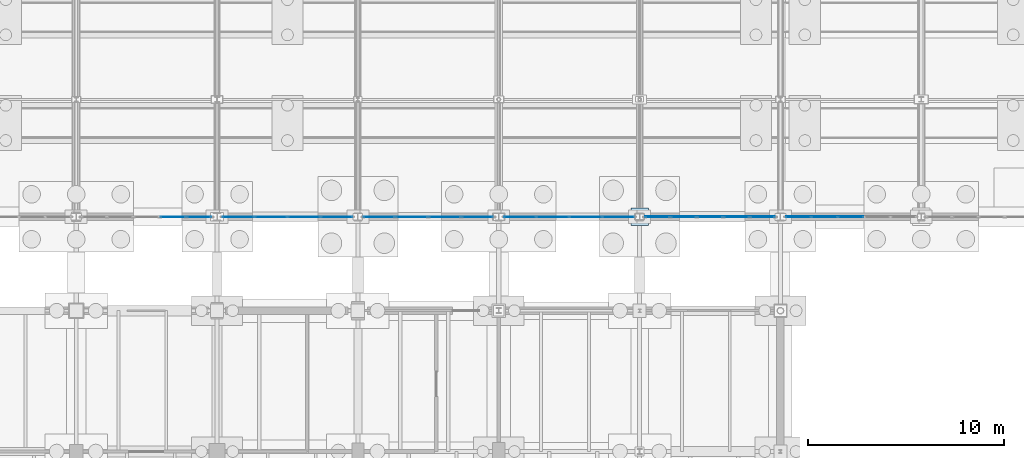
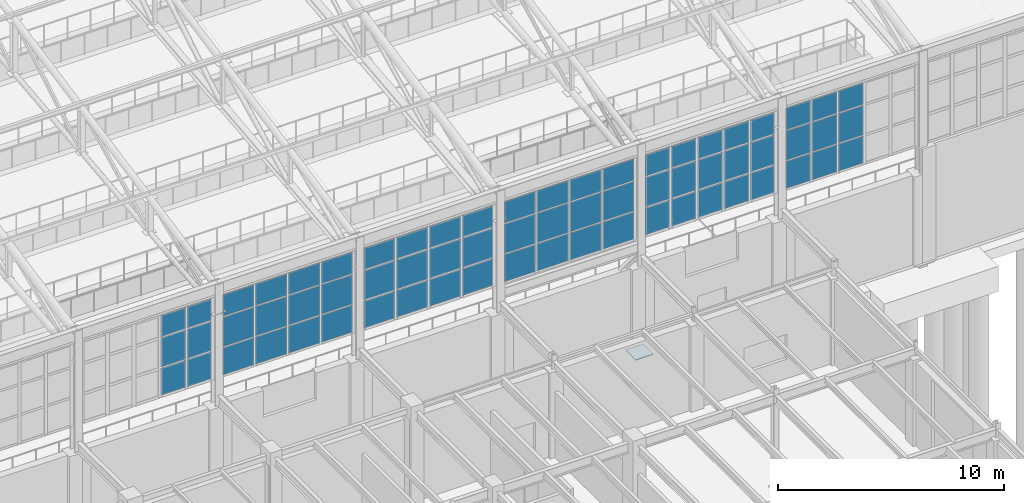
# One storey, part 245 of 293: 67 plates, 6 elements without a shape of their own.
"""IFC4 building model written with IfcOpenShell, lengths in metres."""

from ifc_helpers import new_model, si_unit, direction, frame, origin, origin_2d, place, context, subcontext, project, spatial, rectangle, extrude, material, layer, layer_set, type_object, element, aggregate, save


model = new_model("IFC4")

# Units and contexts
model_context = context("Model", 3, precision=1e-05, world=origin(), true_north=direction((0.0, 1.0)))
body_context = subcontext(model_context, "Body", "Model", "MODEL_VIEW")
ifc_project = project(units=[si_unit("LENGTHUNIT", "METRE"), si_unit("AREAUNIT", "SQUARE_METRE"), si_unit("VOLUMEUNIT", "CUBIC_METRE"), si_unit("PLANEANGLEUNIT", "RADIAN"), si_unit("MASSUNIT", "GRAM", prefix="KILO")], contexts=[model_context])

# Site, building, storey
site_placement = place(None, origin())
site = spatial("IfcSite", under=ifc_project, at=site_placement, CompositionType="ELEMENT")
building_placement = place(site_placement, origin())
building = spatial("IfcBuilding", under=site, at=building_placement, Name="Kemerveld Promenade Tramway Depot", CompositionType="ELEMENT")
storey_placement = place(building_placement, origin())
storey = spatial("IfcBuildingStorey", under=building, at=storey_placement, Name="L00", CompositionType="ELEMENT", Elevation=0.0)

# Curtain wall, plates
ifc_material_1 = material(Name="Bronze anodised aluminium and solar glass", Category="aluminium")
ifc_layer_1 = layer(ifc_material_1, 0.159912109375)
ifc_layer_set_1 = layer_set([ifc_layer_1], Name="CW-SYS-03")
curtain_wall_type_1 = type_object("IfcCurtainWallType", Name="CW-SYS-03", PredefinedType="USERDEFINED", material=ifc_layer_set_1)
curtain_wall_1_placement = place(storey_placement, origin())
curtain_wall_1 = element("IfcCurtainWall", 1, at=curtain_wall_1_placement, inside=storey, type_object=curtain_wall_type_1, Name="CW-V1-S-14", ObjectType="GLAZED_CURTAIN_WALL", PredefinedType="USERDEFINED")
ifc_material_2 = material(Name="Solar-control laminated double glazing", Category="glass")
ifc_layer_2 = layer(ifc_material_2, 0.028076171875)
ifc_layer_set_2 = layer_set([ifc_layer_2], Name="CW-PNL-01")
plate_type_1 = type_object("IfcPlateType", Name="CW-PNL-01", PredefinedType="CURTAIN_PANEL", material=ifc_layer_set_2)
plate_1_placement = place(storey_placement, frame((135.71630859375, 84.0, 6.259765625), z_axis=(0.0, 0.0, 1.0), x_axis=(-1.0, 0.0, 0.0)))
plate_1 = element("IfcPlate", 2, at=plate_1_placement, type_object=plate_type_1, Name="CW03 panel 1.1", PredefinedType="CURTAIN_PANEL", context=body_context, shape_type="SweptSolid", body=[
    extrude(rectangle(XDim=1.5908203125, YDim=0.028076171875, at=origin_2d()), origin(), (0.0, 0.0, 1.0), 1.468017578125),
])
plate_2_placement = place(storey_placement, frame((135.71630859375, 84.0, 7.7880859375), z_axis=(0.0, 0.0, 1.0), x_axis=(-1.0, 0.0, 0.0)))
plate_2 = element("IfcPlate", 3, at=plate_2_placement, type_object=plate_type_1, Name="CW03 panel 1.2", PredefinedType="CURTAIN_PANEL", context=body_context, shape_type="SweptSolid", body=[
    extrude(rectangle(XDim=1.5908203125, YDim=0.028076171875, at=origin_2d()), origin(), (0.0, 0.0, 1.0), 1.5859375),
])
plate_3_placement = place(storey_placement, frame((135.71630859375, 84.0, 9.43408203125), z_axis=(0.0, 0.0, 1.0), x_axis=(-1.0, 0.0, 0.0)))
plate_3 = element("IfcPlate", 4, at=plate_3_placement, type_object=plate_type_1, Name="CW03 panel 1.3", PredefinedType="CURTAIN_PANEL", context=body_context, shape_type="SweptSolid", body=[
    extrude(rectangle(XDim=1.5908203125, YDim=0.028076171875, at=origin_2d()), origin(), (0.0, 0.0, 1.0), 1.156005859375),
])
plate_4_placement = place(storey_placement, frame((134.044189453125, 84.0, 6.259765625), z_axis=(0.0, 0.0, 1.0), x_axis=(-1.0, 0.0, 0.0)))
plate_4 = element("IfcPlate", 5, at=plate_4_placement, type_object=plate_type_1, Name="CW03 panel 2.1", PredefinedType="CURTAIN_PANEL", context=body_context, shape_type="SweptSolid", body=[
    extrude(rectangle(XDim=1.623291015625, YDim=0.028076171875, at=origin_2d()), origin(), (0.0, 0.0, 1.0), 1.468017578125),
])
plate_5_placement = place(storey_placement, frame((134.044189453125, 84.0, 7.7880859375), z_axis=(0.0, 0.0, 1.0), x_axis=(-1.0, 0.0, 0.0)))
plate_5 = element("IfcPlate", 6, at=plate_5_placement, type_object=plate_type_1, Name="CW03 panel 2.2", PredefinedType="CURTAIN_PANEL", context=body_context, shape_type="SweptSolid", body=[
    extrude(rectangle(XDim=1.623291015625, YDim=0.028076171875, at=origin_2d()), origin(), (0.0, 0.0, 1.0), 1.5859375),
])
plate_6_placement = place(storey_placement, frame((134.044189453125, 84.0, 9.43408203125), z_axis=(0.0, 0.0, 1.0), x_axis=(-1.0, 0.0, 0.0)))
plate_6 = element("IfcPlate", 7, at=plate_6_placement, type_object=plate_type_1, Name="CW03 panel 2.3", PredefinedType="CURTAIN_PANEL", context=body_context, shape_type="SweptSolid", body=[
    extrude(rectangle(XDim=1.623291015625, YDim=0.028076171875, at=origin_2d()), origin(), (0.0, 0.0, 1.0), 1.156005859375),
])
plate_7_placement = place(storey_placement, frame((132.355712890625, 84.0, 6.259765625), z_axis=(0.0, 0.0, 1.0), x_axis=(-1.0, 0.0, 0.0)))
plate_7 = element("IfcPlate", 8, at=plate_7_placement, type_object=plate_type_1, Name="CW03 panel 3.1", PredefinedType="CURTAIN_PANEL", context=body_context, shape_type="SweptSolid", body=[
    extrude(rectangle(XDim=1.623291015625, YDim=0.028076171875, at=origin_2d()), origin(), (0.0, 0.0, 1.0), 1.468017578125),
])
plate_8_placement = place(storey_placement, frame((132.355712890625, 84.0, 7.7880859375), z_axis=(0.0, 0.0, 1.0), x_axis=(-1.0, 0.0, 0.0)))
plate_8 = element("IfcPlate", 9, at=plate_8_placement, type_object=plate_type_1, Name="CW03 panel 3.2", PredefinedType="CURTAIN_PANEL", context=body_context, shape_type="SweptSolid", body=[
    extrude(rectangle(XDim=1.623291015625, YDim=0.028076171875, at=origin_2d()), origin(), (0.0, 0.0, 1.0), 1.5859375),
])
plate_9_placement = place(storey_placement, frame((132.355712890625, 84.0, 9.43408203125), z_axis=(0.0, 0.0, 1.0), x_axis=(-1.0, 0.0, 0.0)))
plate_9 = element("IfcPlate", 10, at=plate_9_placement, type_object=plate_type_1, Name="CW03 panel 3.3", PredefinedType="CURTAIN_PANEL", context=body_context, shape_type="SweptSolid", body=[
    extrude(rectangle(XDim=1.623291015625, YDim=0.028076171875, at=origin_2d()), origin(), (0.0, 0.0, 1.0), 1.156005859375),
])
plate_10_placement = place(storey_placement, frame((130.68359375, 84.0, 6.259765625), z_axis=(0.0, 0.0, 1.0), x_axis=(-1.0, 0.0, 0.0)))
plate_10 = element("IfcPlate", 11, at=plate_10_placement, type_object=plate_type_1, Name="CW03 panel 4.1", PredefinedType="CURTAIN_PANEL", context=body_context, shape_type="SweptSolid", body=[
    extrude(rectangle(XDim=1.5908203125, YDim=0.028076171875, at=origin_2d()), origin(), (0.0, 0.0, 1.0), 1.468017578125),
])
plate_11_placement = place(storey_placement, frame((130.68359375, 84.0, 7.7880859375), z_axis=(0.0, 0.0, 1.0), x_axis=(-1.0, 0.0, 0.0)))
plate_11 = element("IfcPlate", 12, at=plate_11_placement, type_object=plate_type_1, Name="CW03 panel 4.2", PredefinedType="CURTAIN_PANEL", context=body_context, shape_type="SweptSolid", body=[
    extrude(rectangle(XDim=1.5908203125, YDim=0.028076171875, at=origin_2d()), origin(), (0.0, 0.0, 1.0), 1.5859375),
])
plate_12_placement = place(storey_placement, frame((130.68359375, 84.0, 9.43408203125), z_axis=(0.0, 0.0, 1.0), x_axis=(-1.0, 0.0, 0.0)))
plate_12 = element("IfcPlate", 13, at=plate_12_placement, type_object=plate_type_1, Name="CW03 panel 4.3", PredefinedType="CURTAIN_PANEL", context=body_context, shape_type="SweptSolid", body=[
    extrude(rectangle(XDim=1.5908203125, YDim=0.028076171875, at=origin_2d()), origin(), (0.0, 0.0, 1.0), 1.156005859375),
])
aggregate(curtain_wall_1, [plate_1, plate_2, plate_3, plate_4, plate_5, plate_6, plate_7, plate_8, plate_9, plate_10, plate_11, plate_12])

ifc_layer_3 = layer(ifc_material_1, 0.199951171875)
ifc_layer_set_3 = layer_set([ifc_layer_3], Name="CW-SYS-04")
curtain_wall_type_2 = type_object("IfcCurtainWallType", Name="CW-SYS-04", PredefinedType="USERDEFINED", material=ifc_layer_set_3)
curtain_wall_2_placement = place(storey_placement, origin())
curtain_wall_2 = element("IfcCurtainWall", 14, at=curtain_wall_2_placement, inside=storey, type_object=curtain_wall_type_2, Name="CW-V1-S-15", ObjectType="GLAZED_CURTAIN_WALL", PredefinedType="USERDEFINED")
ifc_layer_4 = layer(ifc_material_2, 0.028076171875)
ifc_layer_set_4 = layer_set([ifc_layer_4], Name="CW-PNL-02")
plate_type_2 = type_object("IfcPlateType", Name="CW-PNL-02", PredefinedType="CURTAIN_PANEL", material=ifc_layer_set_4)
plate_13_placement = place(storey_placement, frame((142.913818359375, 84.0, 6.26513671875), z_axis=(0.0, 0.0, 1.0), x_axis=(-1.0, 0.0, 0.0)))
plate_13 = element("IfcPlate", 15, at=plate_13_placement, type_object=plate_type_2, Name="CW04 panel 1.1", PredefinedType="CURTAIN_PANEL", context=body_context, shape_type="SweptSolid", body=[
    extrude(rectangle(XDim=1.575927734375, YDim=0.028076171875, at=origin_2d()), origin(), (0.0, 0.0, 1.0), 1.46044921875),
])
plate_14_placement = place(storey_placement, frame((142.913818359375, 84.0, 7.79052734375), z_axis=(0.0, 0.0, 1.0), x_axis=(-1.0, 0.0, 0.0)))
plate_14 = element("IfcPlate", 16, at=plate_14_placement, type_object=plate_type_2, Name="CW04 panel 1.2", PredefinedType="CURTAIN_PANEL", context=body_context, shape_type="SweptSolid", body=[
    extrude(rectangle(XDim=1.575927734375, YDim=0.028076171875, at=origin_2d()), origin(), (0.0, 0.0, 1.0), 1.5810546875),
])
plate_15_placement = place(storey_placement, frame((142.913818359375, 84.0, 9.4365234375), z_axis=(0.0, 0.0, 1.0), x_axis=(-1.0, 0.0, 0.0)))
plate_15 = element("IfcPlate", 17, at=plate_15_placement, type_object=plate_type_2, Name="CW04 panel 1.3", PredefinedType="CURTAIN_PANEL", context=body_context, shape_type="SweptSolid", body=[
    extrude(rectangle(XDim=1.575927734375, YDim=0.028076171875, at=origin_2d()), origin(), (0.0, 0.0, 1.0), 1.1484375),
])
plate_16_placement = place(storey_placement, frame((141.244140625, 84.0, 6.26513671875), z_axis=(0.0, 0.0, 1.0), x_axis=(-1.0, 0.0, 0.0)))
plate_16 = element("IfcPlate", 18, at=plate_16_placement, type_object=plate_type_2, Name="CW04 panel 2.1", PredefinedType="CURTAIN_PANEL", context=body_context, shape_type="SweptSolid", body=[
    extrude(rectangle(XDim=1.61328125, YDim=0.028076171875, at=origin_2d()), origin(), (0.0, 0.0, 1.0), 1.46044921875),
])
plate_17_placement = place(storey_placement, frame((141.244140625, 84.0, 7.79052734375), z_axis=(0.0, 0.0, 1.0), x_axis=(-1.0, 0.0, 0.0)))
plate_17 = element("IfcPlate", 19, at=plate_17_placement, type_object=plate_type_2, Name="CW04 panel 2.2", PredefinedType="CURTAIN_PANEL", context=body_context, shape_type="SweptSolid", body=[
    extrude(rectangle(XDim=1.61328125, YDim=0.028076171875, at=origin_2d()), origin(), (0.0, 0.0, 1.0), 1.5810546875),
])
plate_18_placement = place(storey_placement, frame((141.244140625, 84.0, 9.4365234375), z_axis=(0.0, 0.0, 1.0), x_axis=(-1.0, 0.0, 0.0)))
plate_18 = element("IfcPlate", 20, at=plate_18_placement, type_object=plate_type_2, Name="CW04 panel 2.3", PredefinedType="CURTAIN_PANEL", context=body_context, shape_type="SweptSolid", body=[
    extrude(rectangle(XDim=1.61328125, YDim=0.028076171875, at=origin_2d()), origin(), (0.0, 0.0, 1.0), 1.1484375),
])
plate_19_placement = place(storey_placement, frame((139.555908203125, 84.0, 6.26513671875), z_axis=(0.0, 0.0, 1.0), x_axis=(-1.0, 0.0, 0.0)))
plate_19 = element("IfcPlate", 21, at=plate_19_placement, type_object=plate_type_2, Name="CW04 panel 3.1", PredefinedType="CURTAIN_PANEL", context=body_context, shape_type="SweptSolid", body=[
    extrude(rectangle(XDim=1.61328125, YDim=0.028076171875, at=origin_2d()), origin(), (0.0, 0.0, 1.0), 1.46044921875),
])
plate_20_placement = place(storey_placement, frame((139.555908203125, 84.0, 7.79052734375), z_axis=(0.0, 0.0, 1.0), x_axis=(-1.0, 0.0, 0.0)))
plate_20 = element("IfcPlate", 22, at=plate_20_placement, type_object=plate_type_2, Name="CW04 panel 3.2", PredefinedType="CURTAIN_PANEL", context=body_context, shape_type="SweptSolid", body=[
    extrude(rectangle(XDim=1.61328125, YDim=0.028076171875, at=origin_2d()), origin(), (0.0, 0.0, 1.0), 1.5810546875),
])
plate_21_placement = place(storey_placement, frame((139.555908203125, 84.0, 9.4365234375), z_axis=(0.0, 0.0, 1.0), x_axis=(-1.0, 0.0, 0.0)))
plate_21 = element("IfcPlate", 23, at=plate_21_placement, type_object=plate_type_2, Name="CW04 panel 3.3", PredefinedType="CURTAIN_PANEL", context=body_context, shape_type="SweptSolid", body=[
    extrude(rectangle(XDim=1.61328125, YDim=0.028076171875, at=origin_2d()), origin(), (0.0, 0.0, 1.0), 1.1484375),
])
plate_22_placement = place(storey_placement, frame((137.88623046875, 84.0, 6.26513671875), z_axis=(0.0, 0.0, 1.0), x_axis=(-1.0, 0.0, 0.0)))
plate_22 = element("IfcPlate", 24, at=plate_22_placement, type_object=plate_type_2, Name="CW04 panel 4.1", PredefinedType="CURTAIN_PANEL", context=body_context, shape_type="SweptSolid", body=[
    extrude(rectangle(XDim=1.575927734375, YDim=0.028076171875, at=origin_2d()), origin(), (0.0, 0.0, 1.0), 1.46044921875),
])
plate_23_placement = place(storey_placement, frame((137.88623046875, 84.0, 7.79052734375), z_axis=(0.0, 0.0, 1.0), x_axis=(-1.0, 0.0, 0.0)))
plate_23 = element("IfcPlate", 25, at=plate_23_placement, type_object=plate_type_2, Name="CW04 panel 4.2", PredefinedType="CURTAIN_PANEL", context=body_context, shape_type="SweptSolid", body=[
    extrude(rectangle(XDim=1.575927734375, YDim=0.028076171875, at=origin_2d()), origin(), (0.0, 0.0, 1.0), 1.5810546875),
])
plate_24_placement = place(storey_placement, frame((137.88623046875, 84.0, 9.4365234375), z_axis=(0.0, 0.0, 1.0), x_axis=(-1.0, 0.0, 0.0)))
plate_24 = element("IfcPlate", 26, at=plate_24_placement, type_object=plate_type_2, Name="CW04 panel 4.3", PredefinedType="CURTAIN_PANEL", context=body_context, shape_type="SweptSolid", body=[
    extrude(rectangle(XDim=1.575927734375, YDim=0.028076171875, at=origin_2d()), origin(), (0.0, 0.0, 1.0), 1.1484375),
])
aggregate(curtain_wall_2, [plate_13, plate_14, plate_15, plate_16, plate_17, plate_18, plate_19, plate_20, plate_21, plate_22, plate_23, plate_24])

ifc_layer_5 = layer(ifc_material_1, 0.159912109375)
ifc_layer_set_5 = layer_set([ifc_layer_5], Name="CW-SYS-05")
curtain_wall_type_3 = type_object("IfcCurtainWallType", Name="CW-SYS-05", PredefinedType="USERDEFINED", material=ifc_layer_set_5)
curtain_wall_3_placement = place(storey_placement, origin())
curtain_wall_3 = element("IfcCurtainWall", 27, at=curtain_wall_3_placement, inside=storey, type_object=curtain_wall_type_3, Name="CW-V1-S-16", ObjectType="GLAZED_CURTAIN_WALL", PredefinedType="USERDEFINED")
ifc_layer_6 = layer(ifc_material_2, 0.028076171875)
ifc_layer_set_6 = layer_set([ifc_layer_6], Name="CW-PNL-03")
plate_type_3 = type_object("IfcPlateType", Name="CW-PNL-03", PredefinedType="CURTAIN_PANEL", material=ifc_layer_set_6)
plate_25_placement = place(storey_placement, frame((150.116455078125, 84.0, 6.259765625), z_axis=(0.0, 0.0, 1.0), x_axis=(-1.0, 0.0, 0.0)))
plate_25 = element("IfcPlate", 28, at=plate_25_placement, type_object=plate_type_3, Name="CW05 panel 1.1", PredefinedType="CURTAIN_PANEL", context=body_context, shape_type="SweptSolid", body=[
    extrude(rectangle(XDim=1.5908203125, YDim=0.028076171875, at=origin_2d()), origin(), (0.0, 0.0, 1.0), 1.468017578125),
])
plate_26_placement = place(storey_placement, frame((150.116455078125, 84.0, 7.7880859375), z_axis=(0.0, 0.0, 1.0), x_axis=(-1.0, 0.0, 0.0)))
plate_26 = element("IfcPlate", 29, at=plate_26_placement, type_object=plate_type_3, Name="CW05 panel 1.2", PredefinedType="CURTAIN_PANEL", context=body_context, shape_type="SweptSolid", body=[
    extrude(rectangle(XDim=1.5908203125, YDim=0.028076171875, at=origin_2d()), origin(), (0.0, 0.0, 1.0), 1.5859375),
])
plate_27_placement = place(storey_placement, frame((150.116455078125, 84.0, 9.43408203125), z_axis=(0.0, 0.0, 1.0), x_axis=(-1.0, 0.0, 0.0)))
plate_27 = element("IfcPlate", 30, at=plate_27_placement, type_object=plate_type_3, Name="CW05 panel 1.3", PredefinedType="CURTAIN_PANEL", context=body_context, shape_type="SweptSolid", body=[
    extrude(rectangle(XDim=1.5908203125, YDim=0.028076171875, at=origin_2d()), origin(), (0.0, 0.0, 1.0), 1.156005859375),
])
plate_28_placement = place(storey_placement, frame((148.444091796875, 84.0, 6.259765625), z_axis=(0.0, 0.0, 1.0), x_axis=(-1.0, 0.0, 0.0)))
plate_28 = element("IfcPlate", 31, at=plate_28_placement, type_object=plate_type_3, Name="CW05 panel 2.1", PredefinedType="CURTAIN_PANEL", context=body_context, shape_type="SweptSolid", body=[
    extrude(rectangle(XDim=1.623291015625, YDim=0.028076171875, at=origin_2d()), origin(), (0.0, 0.0, 1.0), 1.468017578125),
])
plate_29_placement = place(storey_placement, frame((148.444091796875, 84.0, 7.7880859375), z_axis=(0.0, 0.0, 1.0), x_axis=(-1.0, 0.0, 0.0)))
plate_29 = element("IfcPlate", 32, at=plate_29_placement, type_object=plate_type_3, Name="CW05 panel 2.2", PredefinedType="CURTAIN_PANEL", context=body_context, shape_type="SweptSolid", body=[
    extrude(rectangle(XDim=1.623291015625, YDim=0.028076171875, at=origin_2d()), origin(), (0.0, 0.0, 1.0), 1.5859375),
])
plate_30_placement = place(storey_placement, frame((148.444091796875, 84.0, 9.43408203125), z_axis=(0.0, 0.0, 1.0), x_axis=(-1.0, 0.0, 0.0)))
plate_30 = element("IfcPlate", 33, at=plate_30_placement, type_object=plate_type_3, Name="CW05 panel 2.3", PredefinedType="CURTAIN_PANEL", context=body_context, shape_type="SweptSolid", body=[
    extrude(rectangle(XDim=1.623291015625, YDim=0.028076171875, at=origin_2d()), origin(), (0.0, 0.0, 1.0), 1.156005859375),
])
plate_31_placement = place(storey_placement, frame((146.755859375, 84.0, 6.259765625), z_axis=(0.0, 0.0, 1.0), x_axis=(-1.0, 0.0, 0.0)))
plate_31 = element("IfcPlate", 34, at=plate_31_placement, type_object=plate_type_3, Name="CW05 panel 3.1", PredefinedType="CURTAIN_PANEL", context=body_context, shape_type="SweptSolid", body=[
    extrude(rectangle(XDim=1.623291015625, YDim=0.028076171875, at=origin_2d()), origin(), (0.0, 0.0, 1.0), 1.468017578125),
])
plate_32_placement = place(storey_placement, frame((146.755859375, 84.0, 7.7880859375), z_axis=(0.0, 0.0, 1.0), x_axis=(-1.0, 0.0, 0.0)))
plate_32 = element("IfcPlate", 35, at=plate_32_placement, type_object=plate_type_3, Name="CW05 panel 3.2", PredefinedType="CURTAIN_PANEL", context=body_context, shape_type="SweptSolid", body=[
    extrude(rectangle(XDim=1.623291015625, YDim=0.028076171875, at=origin_2d()), origin(), (0.0, 0.0, 1.0), 1.5859375),
])
plate_33_placement = place(storey_placement, frame((146.755859375, 84.0, 9.43408203125), z_axis=(0.0, 0.0, 1.0), x_axis=(-1.0, 0.0, 0.0)))
plate_33 = element("IfcPlate", 36, at=plate_33_placement, type_object=plate_type_3, Name="CW05 panel 3.3", PredefinedType="CURTAIN_PANEL", context=body_context, shape_type="SweptSolid", body=[
    extrude(rectangle(XDim=1.623291015625, YDim=0.028076171875, at=origin_2d()), origin(), (0.0, 0.0, 1.0), 1.156005859375),
])
plate_34_placement = place(storey_placement, frame((145.083740234375, 84.0, 6.259765625), z_axis=(0.0, 0.0, 1.0), x_axis=(-1.0, 0.0, 0.0)))
plate_34 = element("IfcPlate", 37, at=plate_34_placement, type_object=plate_type_3, Name="CW05 panel 4.1", PredefinedType="CURTAIN_PANEL", context=body_context, shape_type="SweptSolid", body=[
    extrude(rectangle(XDim=1.5908203125, YDim=0.028076171875, at=origin_2d()), origin(), (0.0, 0.0, 1.0), 1.468017578125),
])
plate_35_placement = place(storey_placement, frame((145.083740234375, 84.0, 7.7880859375), z_axis=(0.0, 0.0, 1.0), x_axis=(-1.0, 0.0, 0.0)))
plate_35 = element("IfcPlate", 38, at=plate_35_placement, type_object=plate_type_3, Name="CW05 panel 4.2", PredefinedType="CURTAIN_PANEL", context=body_context, shape_type="SweptSolid", body=[
    extrude(rectangle(XDim=1.5908203125, YDim=0.028076171875, at=origin_2d()), origin(), (0.0, 0.0, 1.0), 1.5859375),
])
plate_36_placement = place(storey_placement, frame((145.083740234375, 84.0, 9.43408203125), z_axis=(0.0, 0.0, 1.0), x_axis=(-1.0, 0.0, 0.0)))
plate_36 = element("IfcPlate", 39, at=plate_36_placement, type_object=plate_type_3, Name="CW05 panel 4.3", PredefinedType="CURTAIN_PANEL", context=body_context, shape_type="SweptSolid", body=[
    extrude(rectangle(XDim=1.5908203125, YDim=0.028076171875, at=origin_2d()), origin(), (0.0, 0.0, 1.0), 1.156005859375),
])
aggregate(curtain_wall_3, [plate_25, plate_26, plate_27, plate_28, plate_29, plate_30, plate_31, plate_32, plate_33, plate_34, plate_35, plate_36])

ifc_layer_7 = layer(ifc_material_1, 0.199951171875)
ifc_layer_set_7 = layer_set([ifc_layer_7], Name="CW-SYS-06")
curtain_wall_type_4 = type_object("IfcCurtainWallType", Name="CW-SYS-06", PredefinedType="USERDEFINED", material=ifc_layer_set_7)
curtain_wall_4_placement = place(storey_placement, origin())
curtain_wall_4 = element("IfcCurtainWall", 40, at=curtain_wall_4_placement, inside=storey, type_object=curtain_wall_type_4, Name="CW-V1-S-17", ObjectType="GLAZED_CURTAIN_WALL", PredefinedType="USERDEFINED")
ifc_layer_8 = layer(ifc_material_2, 0.031982421875)
ifc_layer_set_8 = layer_set([ifc_layer_8], Name="CW-PNL-04")
plate_type_4 = type_object("IfcPlateType", Name="CW-PNL-04", PredefinedType="CURTAIN_PANEL", material=ifc_layer_set_8)
plate_37_placement = place(storey_placement, frame((157.482666015625, 84.0, 6.26513671875), z_axis=(0.0, 0.0, 1.0), x_axis=(-1.0, 0.0, 0.0)))
plate_37 = element("IfcPlate", 41, at=plate_37_placement, type_object=plate_type_4, Name="CW06 panel 1.1", PredefinedType="CURTAIN_PANEL", context=body_context, shape_type="SweptSolid", body=[
    extrude(rectangle(XDim=1.23828125, YDim=0.031982421875, at=origin_2d()), origin(), (0.0, 0.0, 1.0), 1.46044921875),
])
plate_38_placement = place(storey_placement, frame((157.482666015625, 84.0, 7.79052734375), z_axis=(0.0, 0.0, 1.0), x_axis=(-1.0, 0.0, 0.0)))
plate_38 = element("IfcPlate", 42, at=plate_38_placement, type_object=plate_type_4, Name="CW06 panel 1.2", PredefinedType="CURTAIN_PANEL", context=body_context, shape_type="SweptSolid", body=[
    extrude(rectangle(XDim=1.23828125, YDim=0.031982421875, at=origin_2d()), origin(), (0.0, 0.0, 1.0), 1.5810546875),
])
plate_39_placement = place(storey_placement, frame((157.482666015625, 84.0, 9.4365234375), z_axis=(0.0, 0.0, 1.0), x_axis=(-1.0, 0.0, 0.0)))
plate_39 = element("IfcPlate", 43, at=plate_39_placement, type_object=plate_type_4, Name="CW06 panel 1.3", PredefinedType="CURTAIN_PANEL", context=body_context, shape_type="SweptSolid", body=[
    extrude(rectangle(XDim=1.23828125, YDim=0.031982421875, at=origin_2d()), origin(), (0.0, 0.0, 1.0), 1.1484375),
])
plate_40_placement = place(storey_placement, frame((156.150634765625, 84.0, 6.26513671875), z_axis=(0.0, 0.0, 1.0), x_axis=(-1.0, 0.0, 0.0)))
plate_40 = element("IfcPlate", 44, at=plate_40_placement, type_object=plate_type_4, Name="CW06 panel 2.1", PredefinedType="CURTAIN_PANEL", context=body_context, shape_type="SweptSolid", body=[
    extrude(rectangle(XDim=1.275634765625, YDim=0.031982421875, at=origin_2d()), origin(), (0.0, 0.0, 1.0), 1.46044921875),
])
plate_41_placement = place(storey_placement, frame((156.150634765625, 84.0, 7.79052734375), z_axis=(0.0, 0.0, 1.0), x_axis=(-1.0, 0.0, 0.0)))
plate_41 = element("IfcPlate", 45, at=plate_41_placement, type_object=plate_type_4, Name="CW06 panel 2.2", PredefinedType="CURTAIN_PANEL", context=body_context, shape_type="SweptSolid", body=[
    extrude(rectangle(XDim=1.275634765625, YDim=0.031982421875, at=origin_2d()), origin(), (0.0, 0.0, 1.0), 1.5810546875),
])
plate_42_placement = place(storey_placement, frame((156.150634765625, 84.0, 9.4365234375), z_axis=(0.0, 0.0, 1.0), x_axis=(-1.0, 0.0, 0.0)))
plate_42 = element("IfcPlate", 46, at=plate_42_placement, type_object=plate_type_4, Name="CW06 panel 2.3", PredefinedType="CURTAIN_PANEL", context=body_context, shape_type="SweptSolid", body=[
    extrude(rectangle(XDim=1.275634765625, YDim=0.031982421875, at=origin_2d()), origin(), (0.0, 0.0, 1.0), 1.1484375),
])
plate_43_placement = place(storey_placement, frame((154.800048828125, 84.0, 6.26513671875), z_axis=(0.0, 0.0, 1.0), x_axis=(-1.0, 0.0, 0.0)))
plate_43 = element("IfcPlate", 47, at=plate_43_placement, type_object=plate_type_4, Name="CW06 panel 3.1", PredefinedType="CURTAIN_PANEL", context=body_context, shape_type="SweptSolid", body=[
    extrude(rectangle(XDim=1.275634765625, YDim=0.031982421875, at=origin_2d()), origin(), (0.0, 0.0, 1.0), 1.46044921875),
])
plate_44_placement = place(storey_placement, frame((154.800048828125, 84.0, 7.79052734375), z_axis=(0.0, 0.0, 1.0), x_axis=(-1.0, 0.0, 0.0)))
plate_44 = element("IfcPlate", 48, at=plate_44_placement, type_object=plate_type_4, Name="CW06 panel 3.2", PredefinedType="CURTAIN_PANEL", context=body_context, shape_type="SweptSolid", body=[
    extrude(rectangle(XDim=1.275634765625, YDim=0.031982421875, at=origin_2d()), origin(), (0.0, 0.0, 1.0), 1.5810546875),
])
plate_45_placement = place(storey_placement, frame((154.800048828125, 84.0, 9.4365234375), z_axis=(0.0, 0.0, 1.0), x_axis=(-1.0, 0.0, 0.0)))
plate_45 = element("IfcPlate", 49, at=plate_45_placement, type_object=plate_type_4, Name="CW06 panel 3.3", PredefinedType="CURTAIN_PANEL", context=body_context, shape_type="SweptSolid", body=[
    extrude(rectangle(XDim=1.275634765625, YDim=0.031982421875, at=origin_2d()), origin(), (0.0, 0.0, 1.0), 1.1484375),
])
plate_46_placement = place(storey_placement, frame((153.44921875, 84.0, 6.26513671875), z_axis=(0.0, 0.0, 1.0), x_axis=(-1.0, 0.0, 0.0)))
plate_46 = element("IfcPlate", 50, at=plate_46_placement, type_object=plate_type_4, Name="CW06 panel 4.1", PredefinedType="CURTAIN_PANEL", context=body_context, shape_type="SweptSolid", body=[
    extrude(rectangle(XDim=1.275634765625, YDim=0.031982421875, at=origin_2d()), origin(), (0.0, 0.0, 1.0), 1.46044921875),
])
plate_47_placement = place(storey_placement, frame((153.44921875, 84.0, 7.79052734375), z_axis=(0.0, 0.0, 1.0), x_axis=(-1.0, 0.0, 0.0)))
plate_47 = element("IfcPlate", 51, at=plate_47_placement, type_object=plate_type_4, Name="CW06 panel 4.2", PredefinedType="CURTAIN_PANEL", context=body_context, shape_type="SweptSolid", body=[
    extrude(rectangle(XDim=1.275634765625, YDim=0.031982421875, at=origin_2d()), origin(), (0.0, 0.0, 1.0), 1.5810546875),
])
plate_48_placement = place(storey_placement, frame((153.44921875, 84.0, 9.4365234375), z_axis=(0.0, 0.0, 1.0), x_axis=(-1.0, 0.0, 0.0)))
plate_48 = element("IfcPlate", 52, at=plate_48_placement, type_object=plate_type_4, Name="CW06 panel 4.3", PredefinedType="CURTAIN_PANEL", context=body_context, shape_type="SweptSolid", body=[
    extrude(rectangle(XDim=1.275634765625, YDim=0.031982421875, at=origin_2d()), origin(), (0.0, 0.0, 1.0), 1.1484375),
])
plate_49_placement = place(storey_placement, frame((152.117431640625, 84.0, 6.26513671875), z_axis=(0.0, 0.0, 1.0), x_axis=(-1.0, 0.0, 0.0)))
plate_49 = element("IfcPlate", 53, at=plate_49_placement, type_object=plate_type_4, Name="CW06 panel 5.1", PredefinedType="CURTAIN_PANEL", context=body_context, shape_type="SweptSolid", body=[
    extrude(rectangle(XDim=1.23828125, YDim=0.031982421875, at=origin_2d()), origin(), (0.0, 0.0, 1.0), 1.46044921875),
])
plate_50_placement = place(storey_placement, frame((152.117431640625, 84.0, 7.79052734375), z_axis=(0.0, 0.0, 1.0), x_axis=(-1.0, 0.0, 0.0)))
plate_50 = element("IfcPlate", 54, at=plate_50_placement, type_object=plate_type_4, Name="CW06 panel 5.2", PredefinedType="CURTAIN_PANEL", context=body_context, shape_type="SweptSolid", body=[
    extrude(rectangle(XDim=1.23828125, YDim=0.031982421875, at=origin_2d()), origin(), (0.0, 0.0, 1.0), 1.5810546875),
])
plate_51_placement = place(storey_placement, frame((152.117431640625, 84.0, 9.4365234375), z_axis=(0.0, 0.0, 1.0), x_axis=(-1.0, 0.0, 0.0)))
plate_51 = element("IfcPlate", 55, at=plate_51_placement, type_object=plate_type_4, Name="CW06 panel 5.3", PredefinedType="CURTAIN_PANEL", context=body_context, shape_type="SweptSolid", body=[
    extrude(rectangle(XDim=1.23828125, YDim=0.031982421875, at=origin_2d()), origin(), (0.0, 0.0, 1.0), 1.1484375),
])
aggregate(curtain_wall_4, [plate_37, plate_38, plate_39, plate_40, plate_41, plate_42, plate_43, plate_44, plate_45, plate_46, plate_47, plate_48, plate_49, plate_50, plate_51])

ifc_layer_9 = layer(ifc_material_1, 0.159912109375)
ifc_layer_set_9 = layer_set([ifc_layer_9], Name="CW-SYS-07")
curtain_wall_type_5 = type_object("IfcCurtainWallType", Name="CW-SYS-07", PredefinedType="USERDEFINED", material=ifc_layer_set_9)
curtain_wall_5_placement = place(storey_placement, origin())
curtain_wall_5 = element("IfcCurtainWall", 56, at=curtain_wall_5_placement, inside=storey, type_object=curtain_wall_type_5, Name="CW-V1-S-18", ObjectType="GLAZED_CURTAIN_WALL", PredefinedType="USERDEFINED")
ifc_layer_10 = layer(ifc_material_2, 0.031982421875)
ifc_layer_set_10 = layer_set([ifc_layer_10], Name="CW-PNL-05")
plate_type_5 = type_object("IfcPlateType", Name="CW-PNL-05", PredefinedType="CURTAIN_PANEL", material=ifc_layer_set_10)
plate_52_placement = place(storey_placement, frame((162.0, 84.0, 6.259765625), z_axis=(0.0, 0.0, 1.0), x_axis=(-1.0, 0.0, 0.0)))
plate_52 = element("IfcPlate", 57, at=plate_52_placement, type_object=plate_type_5, Name="CW07 panel 3.1", PredefinedType="CURTAIN_PANEL", context=body_context, shape_type="SweptSolid", body=[
    extrude(rectangle(XDim=1.28564453125, YDim=0.031982421875, at=origin_2d()), origin(), (0.0, 0.0, 1.0), 1.468017578125),
])
plate_53_placement = place(storey_placement, frame((162.0, 84.0, 7.7880859375), z_axis=(0.0, 0.0, 1.0), x_axis=(-1.0, 0.0, 0.0)))
plate_53 = element("IfcPlate", 58, at=plate_53_placement, type_object=plate_type_5, Name="CW07 panel 3.2", PredefinedType="CURTAIN_PANEL", context=body_context, shape_type="SweptSolid", body=[
    extrude(rectangle(XDim=1.28564453125, YDim=0.031982421875, at=origin_2d()), origin(), (0.0, 0.0, 1.0), 1.5859375),
])
plate_54_placement = place(storey_placement, frame((162.0, 84.0, 9.43408203125), z_axis=(0.0, 0.0, 1.0), x_axis=(-1.0, 0.0, 0.0)))
plate_54 = element("IfcPlate", 59, at=plate_54_placement, type_object=plate_type_5, Name="CW07 panel 3.3", PredefinedType="CURTAIN_PANEL", context=body_context, shape_type="SweptSolid", body=[
    extrude(rectangle(XDim=1.28564453125, YDim=0.031982421875, at=origin_2d()), origin(), (0.0, 0.0, 1.0), 1.156005859375),
])
plate_55_placement = place(storey_placement, frame((160.649169921875, 84.0, 6.259765625), z_axis=(0.0, 0.0, 1.0), x_axis=(-1.0, 0.0, 0.0)))
plate_55 = element("IfcPlate", 60, at=plate_55_placement, type_object=plate_type_5, Name="CW07 panel 4.1", PredefinedType="CURTAIN_PANEL", context=body_context, shape_type="SweptSolid", body=[
    extrude(rectangle(XDim=1.28564453125, YDim=0.031982421875, at=origin_2d()), origin(), (0.0, 0.0, 1.0), 1.468017578125),
])
plate_56_placement = place(storey_placement, frame((160.649169921875, 84.0, 7.7880859375), z_axis=(0.0, 0.0, 1.0), x_axis=(-1.0, 0.0, 0.0)))
plate_56 = element("IfcPlate", 61, at=plate_56_placement, type_object=plate_type_5, Name="CW07 panel 4.2", PredefinedType="CURTAIN_PANEL", context=body_context, shape_type="SweptSolid", body=[
    extrude(rectangle(XDim=1.28564453125, YDim=0.031982421875, at=origin_2d()), origin(), (0.0, 0.0, 1.0), 1.5859375),
])
plate_57_placement = place(storey_placement, frame((160.649169921875, 84.0, 9.43408203125), z_axis=(0.0, 0.0, 1.0), x_axis=(-1.0, 0.0, 0.0)))
plate_57 = element("IfcPlate", 62, at=plate_57_placement, type_object=plate_type_5, Name="CW07 panel 4.3", PredefinedType="CURTAIN_PANEL", context=body_context, shape_type="SweptSolid", body=[
    extrude(rectangle(XDim=1.28564453125, YDim=0.031982421875, at=origin_2d()), origin(), (0.0, 0.0, 1.0), 1.156005859375),
])
plate_58_placement = place(storey_placement, frame((159.314697265625, 84.0, 6.259765625), z_axis=(0.0, 0.0, 1.0), x_axis=(-1.0, 0.0, 0.0)))
plate_58 = element("IfcPlate", 63, at=plate_58_placement, type_object=plate_type_5, Name="CW07 panel 5.1", PredefinedType="CURTAIN_PANEL", context=body_context, shape_type="SweptSolid", body=[
    extrude(rectangle(XDim=1.253173828125, YDim=0.031982421875, at=origin_2d()), origin(), (0.0, 0.0, 1.0), 1.468017578125),
])
plate_59_placement = place(storey_placement, frame((159.314697265625, 84.0, 7.7880859375), z_axis=(0.0, 0.0, 1.0), x_axis=(-1.0, 0.0, 0.0)))
plate_59 = element("IfcPlate", 64, at=plate_59_placement, type_object=plate_type_5, Name="CW07 panel 5.2", PredefinedType="CURTAIN_PANEL", context=body_context, shape_type="SweptSolid", body=[
    extrude(rectangle(XDim=1.253173828125, YDim=0.031982421875, at=origin_2d()), origin(), (0.0, 0.0, 1.0), 1.5859375),
])
plate_60_placement = place(storey_placement, frame((159.314697265625, 84.0, 9.43408203125), z_axis=(0.0, 0.0, 1.0), x_axis=(-1.0, 0.0, 0.0)))
plate_60 = element("IfcPlate", 65, at=plate_60_placement, type_object=plate_type_5, Name="CW07 panel 5.3", PredefinedType="CURTAIN_PANEL", context=body_context, shape_type="SweptSolid", body=[
    extrude(rectangle(XDim=1.253173828125, YDim=0.031982421875, at=origin_2d()), origin(), (0.0, 0.0, 1.0), 1.156005859375),
])
aggregate(curtain_wall_5, [plate_52, plate_53, plate_54, plate_55, plate_56, plate_57, plate_58, plate_59, plate_60])

ifc_layer_11 = layer(ifc_material_1, 0.199951171875)
ifc_layer_set_11 = layer_set([ifc_layer_11], Name="CW-SYS-02")
curtain_wall_type_6 = type_object("IfcCurtainWallType", Name="CW-SYS-02", PredefinedType="USERDEFINED", material=ifc_layer_set_11)
curtain_wall_6_placement = place(storey_placement, origin())
curtain_wall_6 = element("IfcCurtainWall", 66, at=curtain_wall_6_placement, inside=storey, type_object=curtain_wall_type_6, Name="CW-V1-S-13", ObjectType="GLAZED_CURTAIN_WALL", PredefinedType="USERDEFINED")
ifc_layer_12 = layer(ifc_material_2, 0.028076171875)
ifc_layer_set_12 = layer_set([ifc_layer_12], Name="CW-PNL-08")
plate_type_6 = type_object("IfcPlateType", Name="CW-PNL-08", PredefinedType="CURTAIN_PANEL", material=ifc_layer_set_12)
plate_61_placement = place(storey_placement, frame((128.6826171875, 84.0, 6.26513671875), z_axis=(0.0, 0.0, 1.0), x_axis=(-1.0, 0.0, 0.0)))
plate_61 = element("IfcPlate", 67, at=plate_61_placement, type_object=plate_type_6, Name="CW02 panel 1.1", PredefinedType="CURTAIN_PANEL", context=body_context, shape_type="SweptSolid", body=[
    extrude(rectangle(XDim=1.23828125, YDim=0.028076171875, at=origin_2d()), origin(), (0.0, 0.0, 1.0), 1.46044921875),
])
plate_62_placement = place(storey_placement, frame((128.6826171875, 84.0, 7.79052734375), z_axis=(0.0, 0.0, 1.0), x_axis=(-1.0, 0.0, 0.0)))
plate_62 = element("IfcPlate", 68, at=plate_62_placement, type_object=plate_type_6, Name="CW02 panel 1.2", PredefinedType="CURTAIN_PANEL", context=body_context, shape_type="SweptSolid", body=[
    extrude(rectangle(XDim=1.23828125, YDim=0.028076171875, at=origin_2d()), origin(), (0.0, 0.0, 1.0), 1.5810546875),
])
plate_63_placement = place(storey_placement, frame((128.6826171875, 84.0, 9.4365234375), z_axis=(0.0, 0.0, 1.0), x_axis=(-1.0, 0.0, 0.0)))
plate_63 = element("IfcPlate", 69, at=plate_63_placement, type_object=plate_type_6, Name="CW02 panel 1.3", PredefinedType="CURTAIN_PANEL", context=body_context, shape_type="SweptSolid", body=[
    extrude(rectangle(XDim=1.23828125, YDim=0.028076171875, at=origin_2d()), origin(), (0.0, 0.0, 1.0), 1.1484375),
])
plate_64_placement = place(storey_placement, frame((127.350830078125, 84.0, 6.26513671875), z_axis=(0.0, 0.0, 1.0), x_axis=(-1.0, 0.0, 0.0)))
plate_64 = element("IfcPlate", 70, at=plate_64_placement, type_object=plate_type_6, Name="CW02 panel 2.1", PredefinedType="CURTAIN_PANEL", context=body_context, shape_type="SweptSolid", body=[
    extrude(rectangle(XDim=1.275634765625, YDim=0.028076171875, at=origin_2d()), origin(), (0.0, 0.0, 1.0), 1.46044921875),
])
plate_65_placement = place(storey_placement, frame((127.350830078125, 84.0, 7.79052734375), z_axis=(0.0, 0.0, 1.0), x_axis=(-1.0, 0.0, 0.0)))
plate_65 = element("IfcPlate", 71, at=plate_65_placement, type_object=plate_type_6, Name="CW02 panel 2.2", PredefinedType="CURTAIN_PANEL", context=body_context, shape_type="SweptSolid", body=[
    extrude(rectangle(XDim=1.275634765625, YDim=0.028076171875, at=origin_2d()), origin(), (0.0, 0.0, 1.0), 1.5810546875),
])
plate_66_placement = place(storey_placement, frame((127.350830078125, 84.0, 9.4365234375), z_axis=(0.0, 0.0, 1.0), x_axis=(-1.0, 0.0, 0.0)))
plate_66 = element("IfcPlate", 72, at=plate_66_placement, type_object=plate_type_6, Name="CW02 panel 2.3", PredefinedType="CURTAIN_PANEL", context=body_context, shape_type="SweptSolid", body=[
    extrude(rectangle(XDim=1.275634765625, YDim=0.028076171875, at=origin_2d()), origin(), (0.0, 0.0, 1.0), 1.1484375),
])
aggregate(curtain_wall_6, [plate_61, plate_62, plate_63, plate_64, plate_65, plate_66])

# Plate
ifc_material_3 = material(Name="Steel S355", Category="steel")
ifc_layer_13 = layer(ifc_material_3, 0.044921875)
ifc_layer_set_13 = layer_set([ifc_layer_13], Name="PL-BP01")
plate_type_7 = type_object("IfcPlateType", Name="PL-BP01", PredefinedType="USERDEFINED", material=ifc_layer_set_13)
plate_67_placement = place(storey_placement, frame((151.199951171875, 84.0, 0.0), z_axis=(0.0, 0.0, 1.0), x_axis=(1.0, 0.0, 0.0)))
element("IfcPlate", 73, at=plate_67_placement, inside=storey, type_object=plate_type_7, Name="BP-22-N", ObjectType="BASE_PLATE", PredefinedType="USERDEFINED", context=body_context, shape_type="SweptSolid", body=[
    extrude(rectangle(XDim=0.89990234375, YDim=0.89990234375, at=origin_2d()), origin(), (0.0, 0.0, 1.0), 0.044921875),
])

save(model, "model.ifc")
